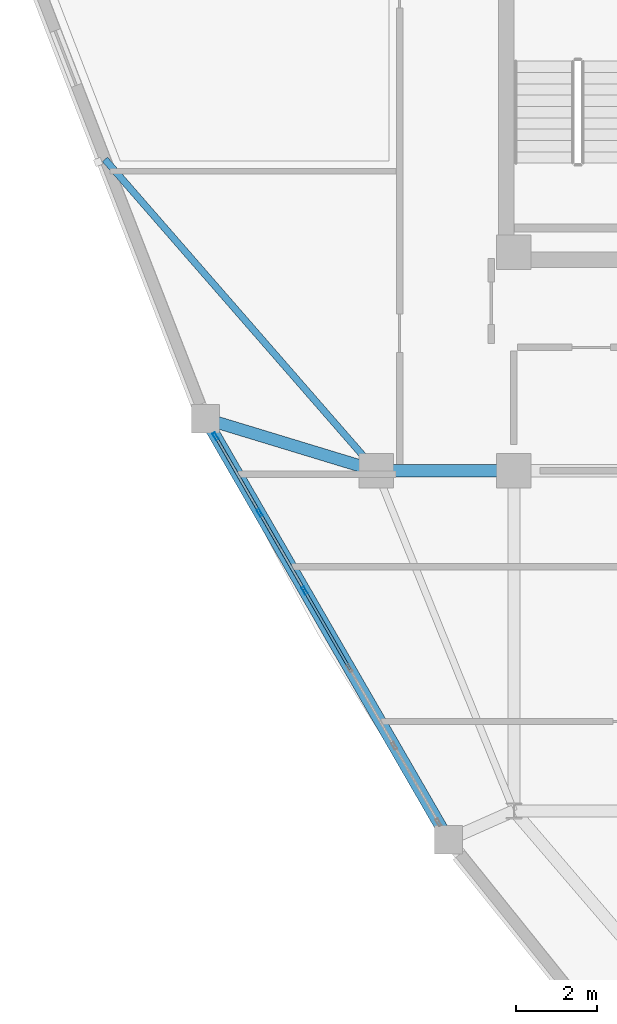
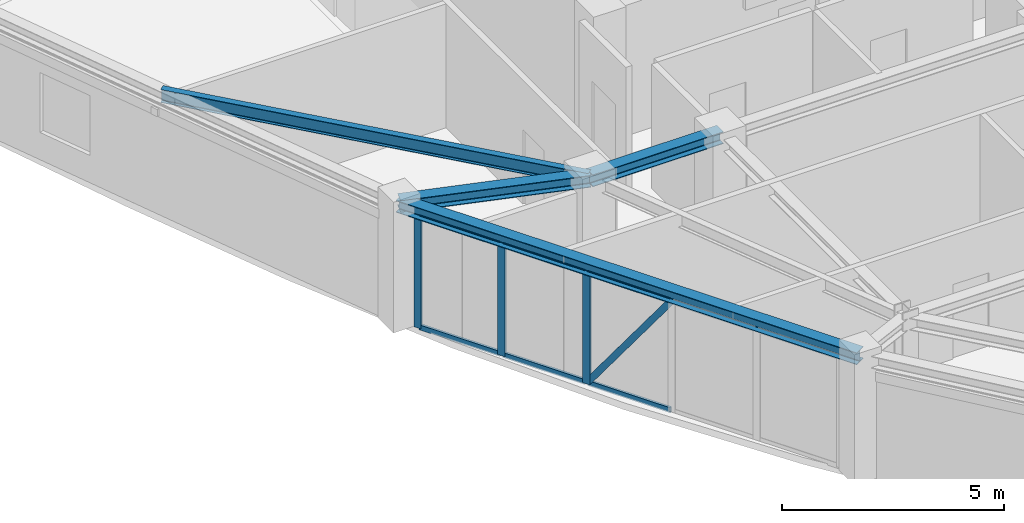
# One storey, part 5 of 15: 10 members, 4 beams, 1 element without a shape of its own.
"""IFC4 building model written with IfcOpenShell, lengths in metres."""

from ifc_helpers import new_model, si_unit, derived_unit, direction, frame, origin, origin_2d, place, context, subcontext, project, spatial, hollow_rectangle, i_section, extrude, source, transform, mapped, material, layer, layer_set, material_profile, profile_set, type_object, element, aggregate, save


model = new_model("IFC4")

# Units and contexts
model_context = context("Model", 3, precision=1e-05, world=origin(), true_north=direction((0.0, 1.0)))
body_context = subcontext(model_context, "Body", "Model", "MODEL_VIEW")
ifc_project = project(units=[si_unit("LENGTHUNIT", "METRE"), si_unit("AREAUNIT", "SQUARE_METRE"), si_unit("VOLUMEUNIT", "CUBIC_METRE"), si_unit("PLANEANGLEUNIT", "RADIAN"), si_unit("MASSUNIT", "GRAM", prefix="KILO"), derived_unit("THERMALTRANSMITTANCEUNIT", [(si_unit("POWERUNIT", "WATT"), 1), (si_unit("LENGTHUNIT", "METRE"), -2), (si_unit("THERMODYNAMICTEMPERATUREUNIT", "KELVIN"), -1)])], contexts=[model_context])

# Site, building, storey
site_placement = place(None, origin())
site = spatial("IfcSite", under=ifc_project, at=site_placement, CompositionType="ELEMENT")
building_placement = place(site_placement, origin())
building = spatial("IfcBuilding", under=site, at=building_placement, Name="Korsvarv Bourse and Concert Hall", CompositionType="ELEMENT")
storey_placement = place(building_placement, frame((0.0, 0.0, 246.60009765625)))
storey = spatial("IfcBuildingStorey", under=building, at=storey_placement, Name="L64", CompositionType="ELEMENT", Elevation=246.60009765625)

# Beams
ifc_material_1 = material(Name="Steel S355", Category="steel")
ifc_material_profile_1 = material_profile(ifc_material_1, i_section(OverallWidth=0.300048828125, OverallDepth=0.330078125, WebThickness=0.009521484375, FlangeThickness=0.0166015625, FilletRadius=0.02099609375, at=origin_2d()), Name="HEA 340")
ifc_profile_set_1 = profile_set([ifc_material_profile_1], Name="Steel S355")
beam_type_1 = type_object("IfcBeamType", Name="BM-HEA340", PredefinedType="BEAM", material=ifc_profile_set_1)
shared_shape_1 = source(origin(), body_context, "Body", "SweptSolid", [
    extrude(i_section(OverallWidth=0.300048828125, OverallDepth=0.330078125, WebThickness=0.009521484375, FlangeThickness=0.0166015625, FilletRadius=0.02099609375, at=origin_2d()), origin(), (0.0, 0.0, 1.0), 3.400146484375),
])
beam_1_placement = place(storey_placement, frame((24.199951171875, 32.39990234375, 3.244873046875), z_axis=(1.0, 0.0, 0.0), x_axis=(0.0, 1.0, 0.0)))
element("IfcBeam", 1, at=beam_1_placement, inside=storey, type_object=beam_type_1, Name="L64 beam B-12", PredefinedType="BEAM", context=body_context, shape_type="MappedRepresentation", body=[
    mapped(shared_shape_1, transform((0.0, 0.0, 0.0), scale=1.0)),
])
shared_shape_2 = source(origin(), body_context, "Body", "SweptSolid", [
    extrude(i_section(OverallWidth=0.300048828125, OverallDepth=0.330078125, WebThickness=0.009521484375, FlangeThickness=0.0166015625, FilletRadius=0.02099609375, at=origin_2d()), origin(), (0.0, 0.0, 1.0), 12.0087890625),
])
beam_2_placement = place(storey_placement, frame((19.97900390625, 33.68359375, 3.244873046875), z_axis=(0.500000506726, -0.866025111226, 0.0), x_axis=(0.866025111226, 0.500000506726, 0.0)))
element("IfcBeam", 2, at=beam_2_placement, inside=storey, type_object=beam_type_1, Name="L64 beam B-12", PredefinedType="BEAM", context=body_context, shape_type="MappedRepresentation", body=[
    mapped(shared_shape_2, transform((0.0, 0.0, 0.0), scale=1.0)),
])
shared_shape_3 = source(origin(), body_context, "Body", "SweptSolid", [
    extrude(i_section(OverallWidth=0.300048828125, OverallDepth=0.330078125, WebThickness=0.009521484375, FlangeThickness=0.0166015625, FilletRadius=0.02099609375, at=origin_2d()), origin(), (0.0, 0.0, 1.0), 4.411865234375),
])
beam_3_placement = place(storey_placement, frame((19.97900390625, 33.68359375, 3.244873046875), z_axis=(0.956733506354, -0.290965629962, 0.0), x_axis=(0.290965629962, 0.956733506354, 0.0)))
element("IfcBeam", 3, at=beam_3_placement, inside=storey, type_object=beam_type_1, Name="L64 beam B-12", PredefinedType="BEAM", context=body_context, shape_type="MappedRepresentation", body=[
    mapped(shared_shape_3, transform((0.0, 0.0, 0.0), scale=1.0)),
])
ifc_material_profile_2 = material_profile(ifc_material_1, i_section(OverallWidth=0.169921875, OverallDepth=0.360107421875, WebThickness=0.008056640625, FlangeThickness=0.0126953125, FilletRadius=0.01806640625, at=origin_2d()), Name="IPE 360")
ifc_profile_set_2 = profile_set([ifc_material_profile_2], Name="Steel S355")
beam_type_2 = type_object("IfcBeamType", Name="BM-IPE360", PredefinedType="JOIST", material=ifc_profile_set_2)
shared_shape_4 = source(origin(), body_context, "Body", "SweptSolid", [
    extrude(i_section(OverallWidth=0.169921875, OverallDepth=0.360107421875, WebThickness=0.008056640625, FlangeThickness=0.0126953125, FilletRadius=0.01806640625, at=origin_2d()), origin(), (0.0, 0.0, 1.0), 10.204833984375),
])
beam_4_placement = place(storey_placement, frame((17.49560546875, 40.093505859375, 3.22998046875), z_axis=(0.656973813092, -0.753913396161, 0.0), x_axis=(0.753913396161, 0.656973813092, 0.0)))
element("IfcBeam", 4, at=beam_4_placement, inside=storey, type_object=beam_type_2, Name="L64 beam J-06", PredefinedType="JOIST", context=body_context, shape_type="MappedRepresentation", body=[
    mapped(shared_shape_4, transform((0.0, 0.0, 0.0), scale=1.0)),
])

# Curtain wall, members
ifc_material_2 = material(Name="Anodised aluminium and triple low-E glazing", Category="glass")
ifc_layer = layer(ifc_material_2, 0.199951171875)
ifc_layer_set = layer_set([ifc_layer], Name="Anodised aluminium and triple low-E glazing")
curtain_wall_type = type_object("IfcCurtainWallType", Name="CW-SYS-3", PredefinedType="NOTDEFINED", material=ifc_layer_set)
curtain_wall_placement = place(storey_placement, origin())
curtain_wall = element("IfcCurtainWall", 5, at=curtain_wall_placement, inside=storey, type_object=curtain_wall_type, Name="L64 CW3 curtain wall CW-L64-F07", PredefinedType="NOTDEFINED")
ifc_material_3 = material(Name="Extruded aluminium EN AW-6063 T66", Category="aluminium")
ifc_material_profile_3 = material_profile(ifc_material_3, hollow_rectangle(XDim=0.06494140625, YDim=0.1650390625, WallThickness=0.0048828125, at=origin_2d()), Name="ALU-M 65x165")
ifc_profile_set_3 = profile_set([ifc_material_profile_3], Name="Extruded aluminium EN AW-6063 T66")
member_type_1 = type_object("IfcMemberType", Name="CWM-165", PredefinedType="MULLION", material=ifc_profile_set_3)
shared_shape_5 = source(origin(), body_context, "Body", "SweptSolid", [
    extrude(hollow_rectangle(XDim=0.06494140625, YDim=0.1650390625, WallThickness=0.0048828125, at=origin_2d()), origin(), (0.0, 0.0, 1.0), 3.6484375),
])
member_1_placement = place(storey_placement, frame((22.444580078125, 29.413330078125, 0.06494140625), z_axis=(0.294223355119, -0.509621349235, 0.808528724107), x_axis=(0.866030310389, 0.499991501415, 0.0)))
member_1 = element("IfcMember", 6, at=member_1_placement, type_object=member_type_1, Name="CW3 diagonal mullion 3", PredefinedType="MULLION", context=body_context, shape_type="MappedRepresentation", body=[
    mapped(shared_shape_5, transform((0.0, 0.0, 0.0), scale=1.0)),
])
ifc_material_profile_4 = material_profile(ifc_material_3, hollow_rectangle(XDim=0.06494140625, YDim=0.139892578125, WallThickness=0.00390625, at=origin_2d()), Name="ALU-T 65x140")
ifc_profile_set_4 = profile_set([ifc_material_profile_4], Name="Extruded aluminium EN AW-6063 T66")
member_type_2 = type_object("IfcMemberType", Name="CWT-140", PredefinedType="USERDEFINED", material=ifc_profile_set_4)
shared_shape_6 = source(origin(), body_context, "Body", "SweptSolid", [
    extrude(hollow_rectangle(XDim=0.06494140625, YDim=0.139892578125, WallThickness=0.00390625, at=origin_2d()), origin(), (0.0, 0.0, 1.0), 2.11181640625),
])
member_2_placement = place(storey_placement, frame((20.2451171875, 33.222900390625, 0.032470703125), z_axis=(0.500005994294, -0.86602194295, 0.0), x_axis=(0.86602194295, 0.500005994294, 0.0)))
member_2 = element("IfcMember", 7, at=member_2_placement, type_object=member_type_2, Name="CW3 transom 1.1", ObjectType="TRANSOM", PredefinedType="USERDEFINED", context=body_context, shape_type="MappedRepresentation", body=[
    mapped(shared_shape_6, transform((0.0, 0.0, 0.0), scale=1.0)),
])
member_3_placement = place(storey_placement, frame((20.2451171875, 33.222900390625, 3.04736328125), z_axis=(0.500005994294, -0.86602194295, 0.0), x_axis=(0.86602194295, 0.500005994294, 0.0)))
member_3 = element("IfcMember", 8, at=member_3_placement, type_object=member_type_2, Name="CW3 transom 1.2", ObjectType="TRANSOM", PredefinedType="USERDEFINED", context=body_context, shape_type="MappedRepresentation", body=[
    mapped(shared_shape_6, transform((0.0, 0.0, 0.0), scale=1.0)),
])
shared_shape_7 = source(origin(), body_context, "Body", "SweptSolid", [
    extrude(hollow_rectangle(XDim=0.06494140625, YDim=0.139892578125, WallThickness=0.00390625, at=origin_2d()), origin(), (0.0, 0.0, 1.0), 2.14697265625),
])
member_4_placement = place(storey_placement, frame((21.3359375, 31.333251953125, 0.032470703125), z_axis=(0.499991501415, -0.866030310389, 0.0), x_axis=(0.866030310389, 0.499991501415, 0.0)))
member_4 = element("IfcMember", 9, at=member_4_placement, type_object=member_type_2, Name="CW3 transom 2.1", ObjectType="TRANSOM", PredefinedType="USERDEFINED", context=body_context, shape_type="MappedRepresentation", body=[
    mapped(shared_shape_7, transform((0.0, 0.0, 0.0), scale=1.0)),
])
member_5_placement = place(storey_placement, frame((21.3359375, 31.333251953125, 3.04736328125), z_axis=(0.499991501415, -0.866030310389, 0.0), x_axis=(0.866030310389, 0.499991501415, 0.0)))
member_5 = element("IfcMember", 10, at=member_5_placement, type_object=member_type_2, Name="CW3 transom 2.2", ObjectType="TRANSOM", PredefinedType="USERDEFINED", context=body_context, shape_type="MappedRepresentation", body=[
    mapped(shared_shape_7, transform((0.0, 0.0, 0.0), scale=1.0)),
])
member_6_placement = place(storey_placement, frame((22.444580078125, 29.413330078125, 0.032470703125), z_axis=(0.499991501415, -0.866030310389, 0.0), x_axis=(0.866030310389, 0.499991501415, 0.0)))
member_6 = element("IfcMember", 11, at=member_6_placement, type_object=member_type_2, Name="CW3 transom 3.1", ObjectType="TRANSOM", PredefinedType="USERDEFINED", context=body_context, shape_type="MappedRepresentation", body=[
    mapped(shared_shape_7, transform((0.0, 0.0, 0.0), scale=1.0)),
])
member_7_placement = place(storey_placement, frame((22.444580078125, 29.413330078125, 3.04736328125), z_axis=(0.499991501415, -0.866030310389, 0.0), x_axis=(0.866030310389, 0.499991501415, 0.0)))
member_7 = element("IfcMember", 12, at=member_7_placement, type_object=member_type_2, Name="CW3 transom 3.2", ObjectType="TRANSOM", PredefinedType="USERDEFINED", context=body_context, shape_type="MappedRepresentation", body=[
    mapped(shared_shape_7, transform((0.0, 0.0, 0.0), scale=1.0)),
])
ifc_material_profile_5 = material_profile(ifc_material_3, hollow_rectangle(XDim=0.070068359375, YDim=0.18994140625, WallThickness=0.0048828125, at=origin_2d()), Name="ALU-M 70x190")
ifc_profile_set_5 = profile_set([ifc_material_profile_5], Name="Extruded aluminium EN AW-6063 T66")
member_type_3 = type_object("IfcMemberType", Name="CWM-190", PredefinedType="MULLION", material=ifc_profile_set_5)
shared_shape_8 = source(origin(), body_context, "Body", "SweptSolid", [
    extrude(hollow_rectangle(XDim=0.070068359375, YDim=0.18994140625, WallThickness=0.0048828125, at=origin_2d()), origin(), (0.0, 0.0, 1.0), 3.079833984375),
])
member_8_placement = place(storey_placement, frame((20.2275390625, 33.253173828125, 0.0), z_axis=(0.0, 0.0, 1.0), x_axis=(0.866021686907, 0.500006437765, 0.0)))
member_8 = element("IfcMember", 13, at=member_8_placement, type_object=member_type_3, Name="CW3 mullion 1", PredefinedType="MULLION", context=body_context, shape_type="MappedRepresentation", body=[
    mapped(shared_shape_8, transform((0.0, 0.0, 0.0), scale=1.0)),
])
member_9_placement = place(storey_placement, frame((21.318603515625, 31.363525390625, 0.0), z_axis=(0.0, 0.0, 1.0), x_axis=(0.866021686907, 0.500006437765, 0.0)))
member_9 = element("IfcMember", 14, at=member_9_placement, type_object=member_type_3, Name="CW3 mullion 2", PredefinedType="MULLION", context=body_context, shape_type="MappedRepresentation", body=[
    mapped(shared_shape_8, transform((0.0, 0.0, 0.0), scale=1.0)),
])
member_10_placement = place(storey_placement, frame((22.427001953125, 29.443603515625, 0.0), z_axis=(0.0, 0.0, 1.0), x_axis=(0.866021686907, 0.500006437765, 0.0)))
member_10 = element("IfcMember", 15, at=member_10_placement, type_object=member_type_3, Name="CW3 mullion 3", PredefinedType="MULLION", context=body_context, shape_type="MappedRepresentation", body=[
    mapped(shared_shape_8, transform((0.0, 0.0, 0.0), scale=1.0)),
])
aggregate(curtain_wall, [member_8, member_9, member_10, member_2, member_3, member_4, member_5, member_6, member_7, member_1])

save(model, "model.ifc")
